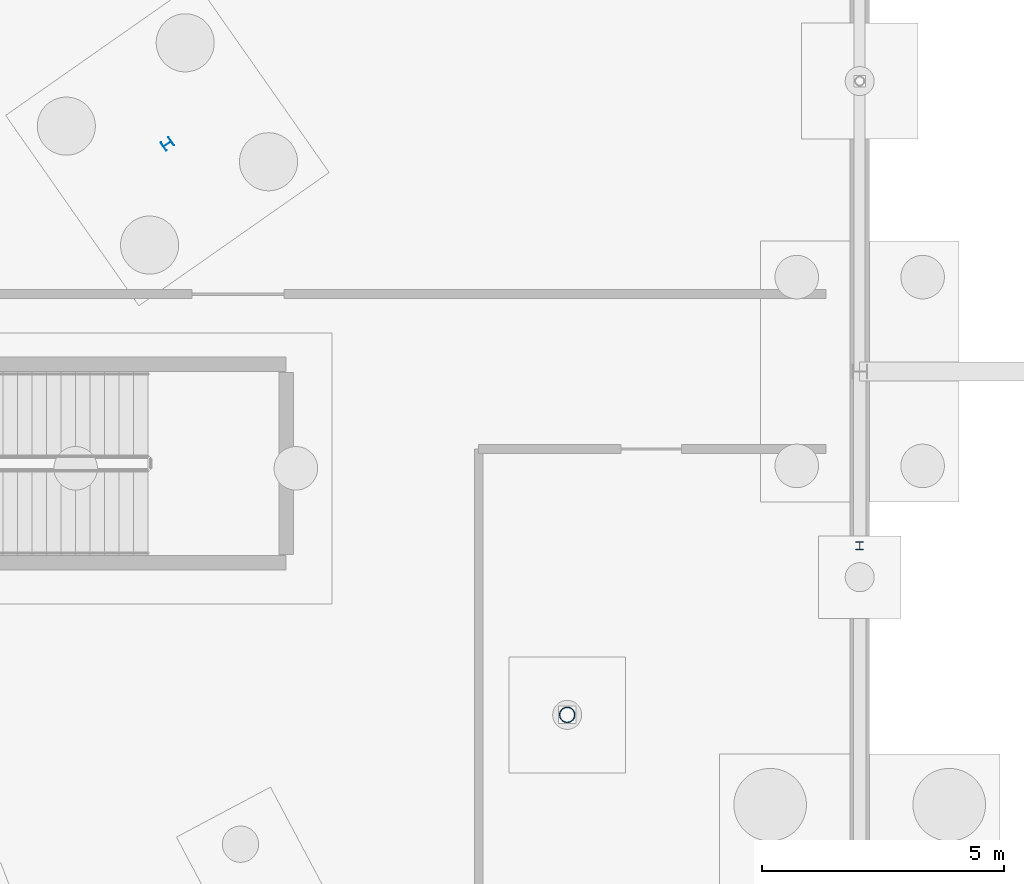
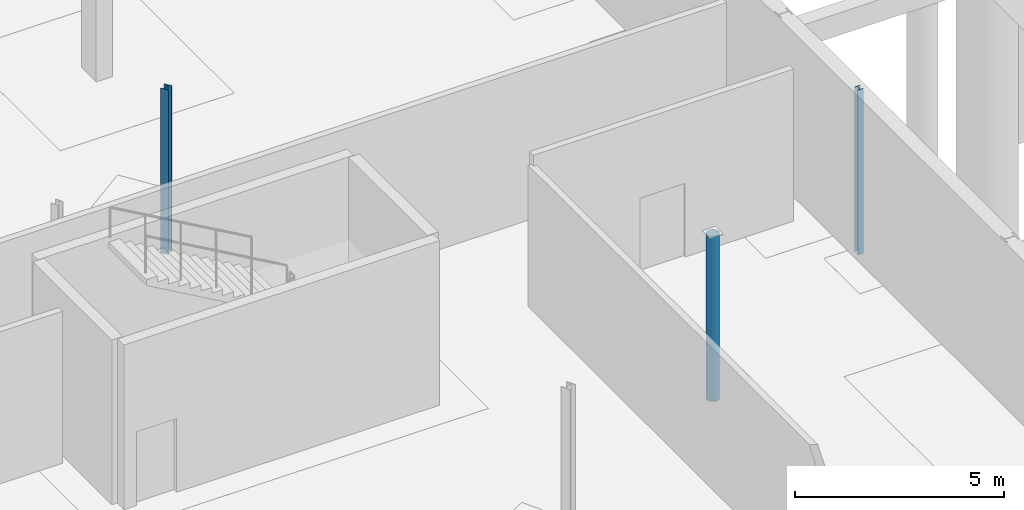
# One storey, part 45 of 136: 3 columns.
"""IFC4 building model written with IfcOpenShell, lengths in metres."""

from ifc_helpers import new_model, si_unit, direction, frame, origin, origin_2d, place, context, subcontext, project, spatial, hollow_circle, i_section, extrude, material, material_profile, profile_set, type_object, element, save


model = new_model("IFC4")

# Units and contexts
model_context = context("Model", 3, precision=1e-05, world=origin(), true_north=direction((0.0, 1.0)))
body_context = subcontext(model_context, "Body", "Model", "MODEL_VIEW")
ifc_project = project(units=[si_unit("LENGTHUNIT", "METRE"), si_unit("AREAUNIT", "SQUARE_METRE"), si_unit("VOLUMEUNIT", "CUBIC_METRE"), si_unit("PLANEANGLEUNIT", "RADIAN"), si_unit("MASSUNIT", "GRAM", prefix="KILO")], contexts=[model_context])

# Site, building, storey
site_placement = place(None, origin())
site = spatial("IfcSite", under=ifc_project, at=site_placement, CompositionType="ELEMENT")
building_placement = place(site_placement, origin())
building = spatial("IfcBuilding", under=site, at=building_placement, Name="Tarnwether General Hospital", CompositionType="ELEMENT")
storey_placement = place(building_placement, frame((0.0, 0.0, -4.800048828125)))
storey = spatial("IfcBuildingStorey", under=building, at=storey_placement, Name="LG", CompositionType="ELEMENT", Elevation=-4.800048828125)

# Columns
ifc_material_1 = material(Name="Steel Grade C350L0 (350 MPa)", Category="steel")
ifc_material_profile_1 = material_profile(ifc_material_1, hollow_circle(Radius=0.161865234375, WallThickness=0.0126953125, at=origin_2d()), Name="CHS323.9x12.7")
ifc_profile_set_1 = profile_set([ifc_material_profile_1], Name="Steel Grade C350L0 (350 MPa)")
column_type_1 = type_object("IfcColumnType", Name="COL-26", PredefinedType="COLUMN", material=ifc_profile_set_1)
column_1_placement = place(storey_placement, frame((125.9560546875, 14.506103515625, 0.0), z_axis=(0.0, 0.0, 1.0), x_axis=(-0.573576436351, 0.819152044289, 0.0)))
element("IfcColumn", 1, at=column_1_placement, inside=storey, type_object=column_type_1, Name="Column COLG-LG-12596_1451", PredefinedType="COLUMN", context=body_context, shape_type="SweptSolid", body=[
    extrude(hollow_circle(Radius=0.161865234375, WallThickness=0.0126953125, at=origin_2d()), origin(), (0.0, 0.0, 1.0), 4.800048828125),
])
ifc_material_2 = material(Name="Steel Grade 350 (350 MPa)", Category="steel")
ifc_material_profile_2 = material_profile(ifc_material_2, i_section(OverallWidth=0.202880859375, OverallDepth=0.202880859375, WebThickness=0.00732421875, FlangeThickness=0.010986328125, at=origin_2d()), Name="200UC46.2")
ifc_profile_set_2 = profile_set([ifc_material_profile_2], Name="Steel Grade 350 (350 MPa)")
column_type_2 = type_object("IfcColumnType", Name="COL-27", PredefinedType="COLUMN", material=ifc_profile_set_2)
column_2_placement = place(storey_placement, frame((117.696044921875, 26.302001953125, 0.0), z_axis=(0.0, 0.0, 1.0), x_axis=(-0.573576436351, 0.819152044289, 0.0)))
element("IfcColumn", 2, at=column_2_placement, inside=storey, type_object=column_type_2, Name="Column COLG-LG-11770_2630", PredefinedType="COLUMN", context=body_context, shape_type="SweptSolid", body=[
    extrude(i_section(OverallWidth=0.202880859375, OverallDepth=0.202880859375, WebThickness=0.00732421875, FlangeThickness=0.010986328125, at=origin_2d()), origin(), (0.0, 0.0, 1.0), 4.800048828125),
])
ifc_material_3 = material(Name="Steel Grade 350 (350 MPa)", Category="steel")
ifc_material_profile_3 = material_profile(ifc_material_3, i_section(OverallWidth=0.154052734375, OverallDepth=0.162109375, WebThickness=0.008056640625, FlangeThickness=0.011474609375, at=origin_2d()), Name="150UC37.2")
ifc_profile_set_3 = profile_set([ifc_material_profile_3], Name="Steel Grade 350 (350 MPa)")
column_type_3 = type_object("IfcColumnType", Name="COL-28", PredefinedType="COLUMN", material=ifc_profile_set_3)
column_3_placement = place(storey_placement, frame((132.0, 18.0, 0.0), z_axis=(0.0, 0.0, 1.0), x_axis=(1.0, 0.0, 0.0)))
element("IfcColumn", 3, at=column_3_placement, inside=storey, type_object=column_type_3, Name="Column COLG-LG-13200_1800", PredefinedType="COLUMN", context=body_context, shape_type="SweptSolid", body=[
    extrude(i_section(OverallWidth=0.154052734375, OverallDepth=0.162109375, WebThickness=0.008056640625, FlangeThickness=0.011474609375, at=origin_2d()), origin(), (0.0, 0.0, 1.0), 4.800048828125),
])

save(model, "model.ifc")
